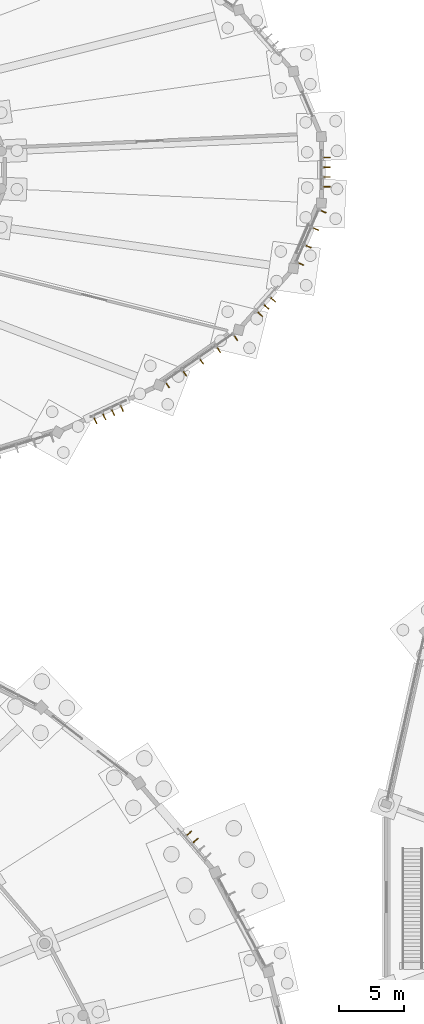
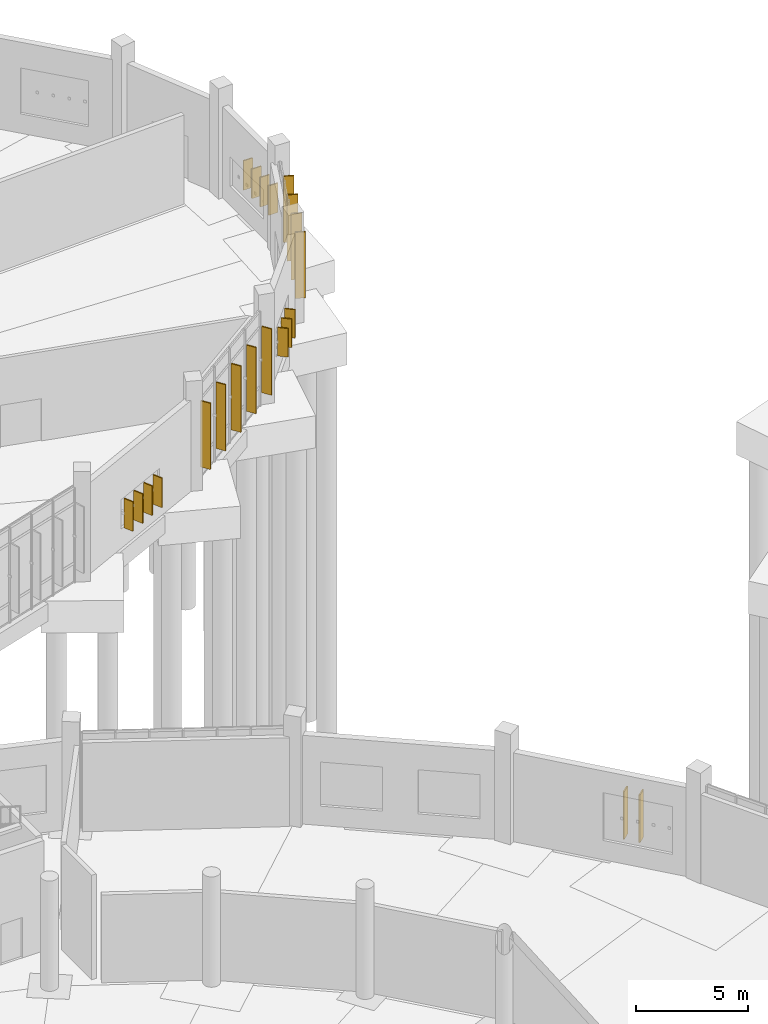
# One storey, part 132 of 140: 22 shading devices.
"""IFC4 building model written with IfcOpenShell, lengths in metres."""

from ifc_helpers import new_model, si_unit, direction, frame, origin, origin_2d, place, context, subcontext, project, spatial, rectangle, extrude, material, type_object, element, save


model = new_model("IFC4")

# Units and contexts
model_context = context("Model", 3, precision=1e-05, world=origin(), true_north=direction((0.0, 1.0)))
body_context = subcontext(model_context, "Body", "Model", "MODEL_VIEW")
ifc_project = project(units=[si_unit("LENGTHUNIT", "METRE"), si_unit("AREAUNIT", "SQUARE_METRE"), si_unit("VOLUMEUNIT", "CUBIC_METRE"), si_unit("PLANEANGLEUNIT", "RADIAN"), si_unit("MASSUNIT", "GRAM", prefix="KILO")], contexts=[model_context])

# Site, building, storey
site_placement = place(None, origin())
site = spatial("IfcSite", under=ifc_project, at=site_placement, CompositionType="ELEMENT")
building_placement = place(site_placement, origin())
building = spatial("IfcBuilding", under=site, at=building_placement, Name="Corvandel Quay Wholesale Market", CompositionType="ELEMENT")
storey_placement = place(building_placement, origin())
storey = spatial("IfcBuildingStorey", under=building, at=storey_placement, Name="L00", CompositionType="ELEMENT", Elevation=0.0)

# Shading devices
ifc_material = material(Name="Bronze anodised extruded aluminium 6063-T6", Category="aluminium")
shading_device_type = type_object("IfcShadingDeviceType", Name="Vertical Anodised Bronze Solar Fin FN01 480mm", PredefinedType="JALOUSIE", material=ifc_material)
for number, where, z_axis, x_axis, name in (
    (1, (160.317626953125, 64.35791015625, 1.050048828125), (0.0, 0.0, 1.0), (0.758589401976, 0.651568967347, 0.0), "Solar Fin 0017"),
    (2, (159.8291015625, 64.9267578125, 1.050048828125), (0.0, 0.0, 1.0), (0.758589401976, 0.651568967347, 0.0), "Solar Fin 0018"),
):
    element("IfcShadingDevice", number, at=place(storey_placement, frame(where, z_axis=z_axis, x_axis=x_axis)), inside=storey, type_object=shading_device_type, Name=name, PredefinedType="JALOUSIE", context=body_context, shape_type="SweptSolid", body=[
        extrude(rectangle(XDim=0.47998046875, YDim=0.06494140625, at=origin_2d()), origin(), (0.0, 0.0, 1.0), 2.60009765625),
    ])
for number, where, z_axis, x_axis, name in (
    (3, (152.604248046875, 96.66845703125, 1.050048828125), (0.0, 0.0, 1.0), (-0.421194115999, 0.906970515865, 0.0), "Solar Fin 0401"),
    (4, (153.284423828125, 96.984375, 1.050048828125), (0.0, 0.0, 1.0), (-0.421194115999, 0.906970515865, 0.0), "Solar Fin 0402"),
    (5, (153.96484375, 97.30029296875, 1.050048828125), (0.0, 0.0, 1.0), (-0.421194115999, 0.906970515865, 0.0), "Solar Fin 0403"),
    (6, (154.64501953125, 97.6162109375, 1.050048828125), (0.0, 0.0, 1.0), (-0.421194115999, 0.906970515865, 0.0), "Solar Fin 0404"),
):
    element("IfcShadingDevice", number, at=place(storey_placement, frame(where, z_axis=z_axis, x_axis=x_axis)), inside=storey, type_object=shading_device_type, Name=name, PredefinedType="JALOUSIE", context=body_context, shape_type="SweptSolid", body=[
        extrude(rectangle(XDim=0.47998046875, YDim=0.06494140625, at=origin_2d()), origin(), (0.0, 0.0, 1.0), 1.60009765625),
    ])
for number, where, z_axis, x_axis, name in (
    (7, (158.158203125, 99.422119140625, 0.77490234375), (0.0, 0.0, 1.0), (-0.570570241419, 0.821248804935, 0.0), "Solar Fin 0411"),
    (8, (159.46875, 100.33251953125, 0.77490234375), (0.0, 0.0, 1.0), (-0.570570241419, 0.821248804935, 0.0), "Solar Fin 0412"),
    (9, (160.779296875, 101.242919921875, 0.77490234375), (0.0, 0.0, 1.0), (-0.570570241419, 0.821248804935, 0.0), "Solar Fin 0413"),
    (10, (162.08984375, 102.1533203125, 0.77490234375), (0.0, 0.0, 1.0), (-0.570570241419, 0.821248804935, 0.0), "Solar Fin 0414"),
    (11, (163.400390625, 103.063720703125, 0.77490234375), (0.0, 0.0, 1.0), (-0.570570241419, 0.821248804935, 0.0), "Solar Fin 0415"),
):
    element("IfcShadingDevice", number, at=place(storey_placement, frame(where, z_axis=z_axis, x_axis=x_axis)), inside=storey, type_object=shading_device_type, Name=name, PredefinedType="JALOUSIE", context=body_context, shape_type="SweptSolid", body=[
        extrude(rectangle(XDim=0.47998046875, YDim=0.06494140625, at=origin_2d()), origin(), (0.0, 0.0, 1.0), 3.60009765625),
    ])
for number, where, z_axis, x_axis, name in (
    (12, (165.283447265625, 104.8798828125, 1.0498046875), (0.0, 0.0, 1.0), (-0.746289766155, 0.665621202286, 0.0), "Solar Fin 0418"),
    (13, (165.78271484375, 105.439697265625, 1.0498046875), (0.0, 0.0, 1.0), (-0.746289766155, 0.665621202286, 0.0), "Solar Fin 0419"),
    (14, (166.281982421875, 105.999267578125, 1.0498046875), (0.0, 0.0, 1.0), (-0.746289766155, 0.665621202286, 0.0), "Solar Fin 0420"),
):
    element("IfcShadingDevice", number, at=place(storey_placement, frame(where, z_axis=z_axis, x_axis=x_axis)), inside=storey, type_object=shading_device_type, Name=name, PredefinedType="JALOUSIE", context=body_context, shape_type="SweptSolid", body=[
        extrude(rectangle(XDim=0.47998046875, YDim=0.06494140625, at=origin_2d()), origin(), (0.0, 0.0, 1.0), 1.550048828125),
    ])
for number, where, z_axis, x_axis, name in (
    (15, (168.409912109375, 108.7626953125, 0.77490234375), (0.0, 0.0, 1.0), (-0.919204081089, 0.393781484212, 0.0), "Solar Fin 0426"),
    (16, (168.985595703125, 110.106201171875, 0.77490234375), (0.0, 0.0, 1.0), (-0.919204081089, 0.393781484212, 0.0), "Solar Fin 0427"),
    (17, (169.56103515625, 111.44970703125, 0.77490234375), (0.0, 0.0, 1.0), (-0.919204081089, 0.393781484212, 0.0), "Solar Fin 0428"),
    (18, (170.13671875, 112.79296875, 0.77490234375), (0.0, 0.0, 1.0), (-0.919204081089, 0.393781484212, 0.0), "Solar Fin 0429"),
):
    element("IfcShadingDevice", number, at=place(storey_placement, frame(where, z_axis=z_axis, x_axis=x_axis)), inside=storey, type_object=shading_device_type, Name=name, PredefinedType="JALOUSIE", context=body_context, shape_type="SweptSolid", body=[
        extrude(rectangle(XDim=0.47998046875, YDim=0.06494140625, at=origin_2d()), origin(), (0.0, 0.0, 1.0), 3.60009765625),
    ])
for number, where, z_axis, x_axis, name in (
    (19, (170.43994140625, 114.699951171875, 1.050048828125), (0.0, 0.0, 1.0), (1.0, 0.0, 0.0), "Solar Fin 0432"),
    (20, (170.43994140625, 115.449951171875, 1.050048828125), (0.0, 0.0, 1.0), (1.0, 0.0, 0.0), "Solar Fin 0433"),
    (21, (170.43994140625, 116.199951171875, 1.050048828125), (0.0, 0.0, 1.0), (1.0, 0.0, 0.0), "Solar Fin 0434"),
    (22, (170.43994140625, 116.949951171875, 1.050048828125), (0.0, 0.0, 1.0), (1.0, 0.0, 0.0), "Solar Fin 0435"),
):
    element("IfcShadingDevice", number, at=place(storey_placement, frame(where, z_axis=z_axis, x_axis=x_axis)), inside=storey, type_object=shading_device_type, Name=name, PredefinedType="JALOUSIE", context=body_context, shape_type="SweptSolid", body=[
        extrude(rectangle(XDim=0.47998046875, YDim=0.06494140625, at=origin_2d()), origin(), (0.0, 0.0, 1.0), 1.60009765625),
    ])

save(model, "model.ifc")
